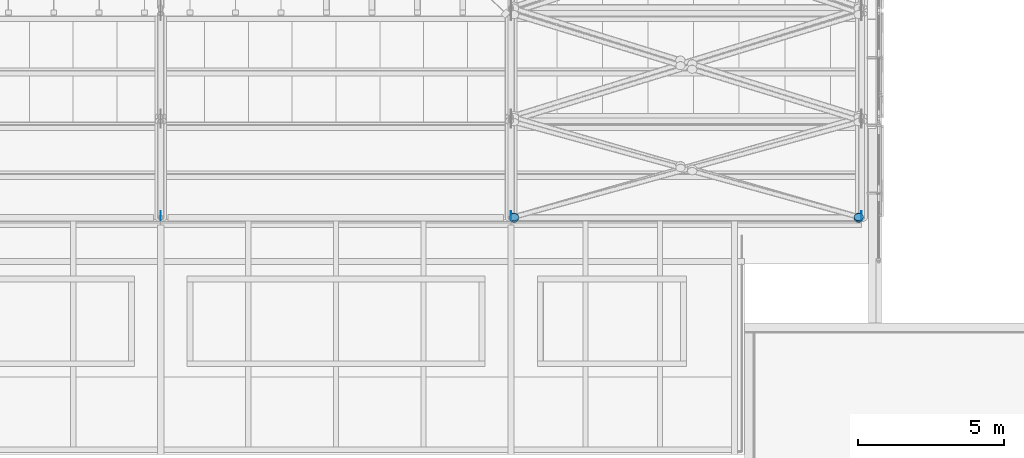
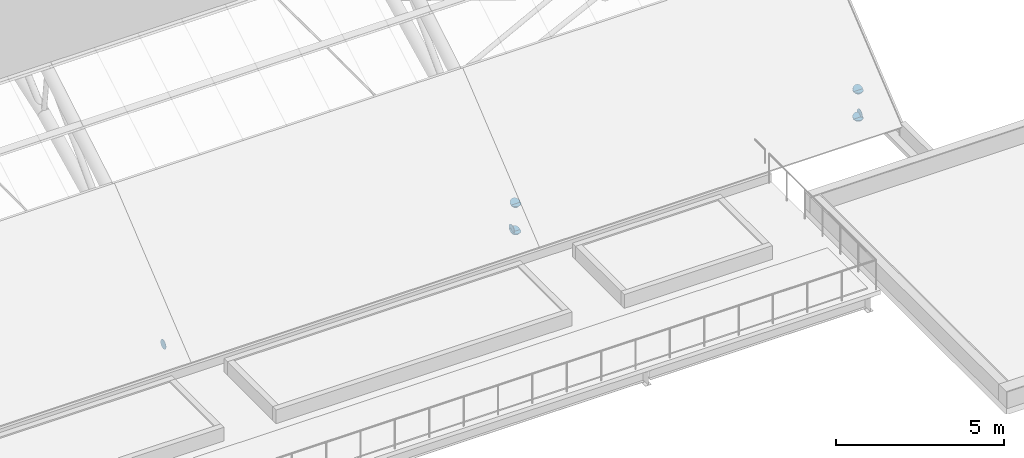
# One storey, part 95 of 110: 11 discrete accessories.
"""IFC4 building model written with IfcOpenShell, lengths in metres."""

from ifc_helpers import new_model, si_unit, direction, frame, origin, origin_2d, place, context, subcontext, project, spatial, circle, extrude, material, layer, layer_set, type_object, element, save


model = new_model("IFC4")

# Units and contexts
model_context = context("Model", 3, precision=1e-05, world=origin(), true_north=direction((0.0, 1.0)))
body_context = subcontext(model_context, "Body", "Model", "MODEL_VIEW")
ifc_project = project(units=[si_unit("LENGTHUNIT", "METRE"), si_unit("AREAUNIT", "SQUARE_METRE"), si_unit("VOLUMEUNIT", "CUBIC_METRE"), si_unit("PLANEANGLEUNIT", "RADIAN"), si_unit("MASSUNIT", "GRAM", prefix="KILO")], contexts=[model_context])

# Site, building, storey
site_placement = place(None, origin())
site = spatial("IfcSite", under=ifc_project, at=site_placement, CompositionType="ELEMENT")
building_placement = place(site_placement, origin())
building = spatial("IfcBuilding", under=site, at=building_placement, Name="Windward Yard Aquatics Centre", CompositionType="ELEMENT")
storey_placement = place(building_placement, frame((0.0, 0.0, 22.60009765625)))
storey = spatial("IfcBuildingStorey", under=building, at=storey_placement, Name="L05", CompositionType="ELEMENT", Elevation=22.60009765625)

# Discrete accessories
ifc_material = material(Name="Steel S355", Category="steel")
ifc_layer = layer(ifc_material, 0.011962890625)
ifc_layer_set = layer_set([ifc_layer], Name="Gusset plate 320 mm disc 12 mm")
discrete_accessory_type = type_object("IfcDiscreteAccessoryType", Name="Gusset plate 320 mm disc 12 mm", PredefinedType="USERDEFINED", material=ifc_layer_set)
for number, where, z_axis, x_axis, name in (
    (1, (119.993896484375, 41.66650390625, 0.07470703125), (1.0, 0.0, 0.0), (0.0, 1.0, 0.0), "Gusset plate"),
    (2, (131.993896484375, 41.66650390625, 0.07470703125), (1.0, 0.0, 0.0), (0.0, 1.0, 0.0), "Gusset plate"),
    (3, (143.993896484375, 41.66650390625, 0.07470703125), (1.0, 0.0, 0.0), (0.0, 1.0, 0.0), "Gusset plate"),
):
    element("IfcDiscreteAccessory", number, at=place(storey_placement, frame(where, z_axis=z_axis, x_axis=x_axis)), inside=storey, type_object=discrete_accessory_type, Name=name, ObjectType="GUSSET PLATE", PredefinedType="USERDEFINED", context=body_context, shape_type="SweptSolid", body=[
        extrude(circle(Radius=0.159912109375, at=origin_2d()), origin(), (0.0, 0.0, 1.0), 0.01220703125),
    ])
for number, where, z_axis, x_axis, name in (
    (4, (132.10009765625, 41.60009765625, 0.993896484375), (0.0, 0.0, 1.0), (1.0, 0.0, 0.0), "Gusset plate"),
    (5, (143.89990234375, 41.60009765625, 0.993896484375), (0.0, 0.0, 1.0), (1.0, 0.0, 0.0), "Gusset plate"),
):
    element("IfcDiscreteAccessory", number, at=place(storey_placement, frame(where, z_axis=z_axis, x_axis=x_axis)), inside=storey, type_object=discrete_accessory_type, Name=name, ObjectType="GUSSET PLATE", PredefinedType="USERDEFINED", context=body_context, shape_type="SweptSolid", body=[
        extrude(circle(Radius=0.159912109375, at=origin_2d()), origin(), (0.0, 0.0, 1.0), 0.011962890625),
    ])
for number, where, z_axis, x_axis, name in (
    (6, (132.09423828125, 41.6220703125, 1.02587890625), (0.0, 0.644135745783, -0.764911198117), (-1.0, 0.0, 0.0), "Gusset plate"),
    (7, (143.90576171875, 41.6220703125, 1.02587890625), (0.0, 0.644135745783, -0.764911198117), (-1.0, 0.0, 0.0), "Gusset plate"),
):
    element("IfcDiscreteAccessory", number, at=place(storey_placement, frame(where, z_axis=z_axis, x_axis=x_axis)), inside=storey, type_object=discrete_accessory_type, Name=name, ObjectType="GUSSET PLATE", PredefinedType="USERDEFINED", context=body_context, shape_type="SweptSolid", body=[
        extrude(circle(Radius=0.159912109375, at=origin_2d()), origin(), (0.0, 0.0, 1.0), 0.01220703125),
    ])
for number, where, z_axis, x_axis, name in (
    (8, (132.10009765625, 41.60009765625, -0.006103515625), (0.0, 0.0, 1.0), (1.0, 0.0, 0.0), "Gusset plate"),
    (9, (143.89990234375, 41.60009765625, -0.006103515625), (0.0, 0.0, 1.0), (1.0, 0.0, 0.0), "Gusset plate"),
    (10, (132.094482421875, 41.6240234375, 0.023193359375), (0.0, 0.549990569516, -0.83517086482), (-1.0, 0.0, 0.0), "Gusset plate"),
    (11, (143.905517578125, 41.6240234375, 0.023193359375), (0.0, 0.549990569516, -0.83517086482), (-1.0, 0.0, 0.0), "Gusset plate"),
):
    element("IfcDiscreteAccessory", number, at=place(storey_placement, frame(where, z_axis=z_axis, x_axis=x_axis)), inside=storey, type_object=discrete_accessory_type, Name=name, ObjectType="GUSSET PLATE", PredefinedType="USERDEFINED", context=body_context, shape_type="SweptSolid", body=[
        extrude(circle(Radius=0.159912109375, at=origin_2d()), origin(), (0.0, 0.0, 1.0), 0.011962890625),
    ])

save(model, "model.ifc")
